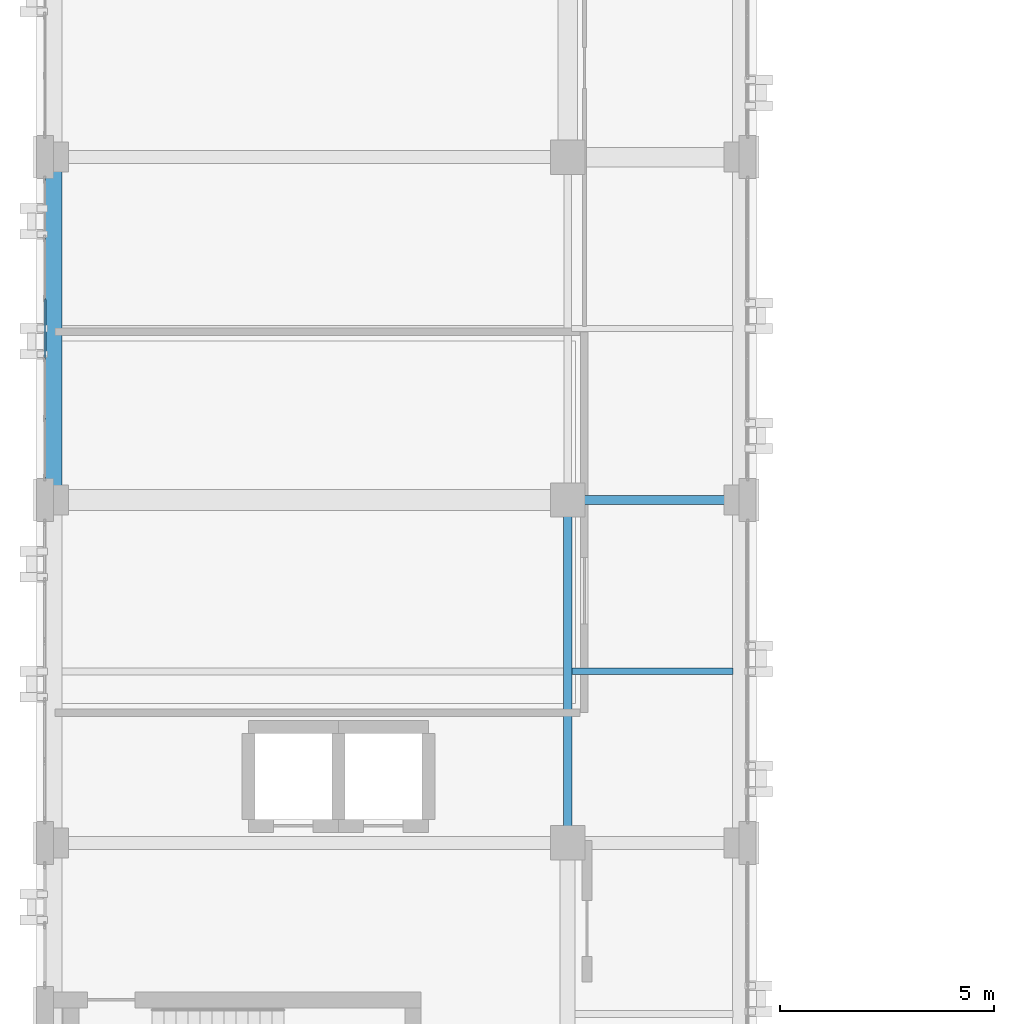
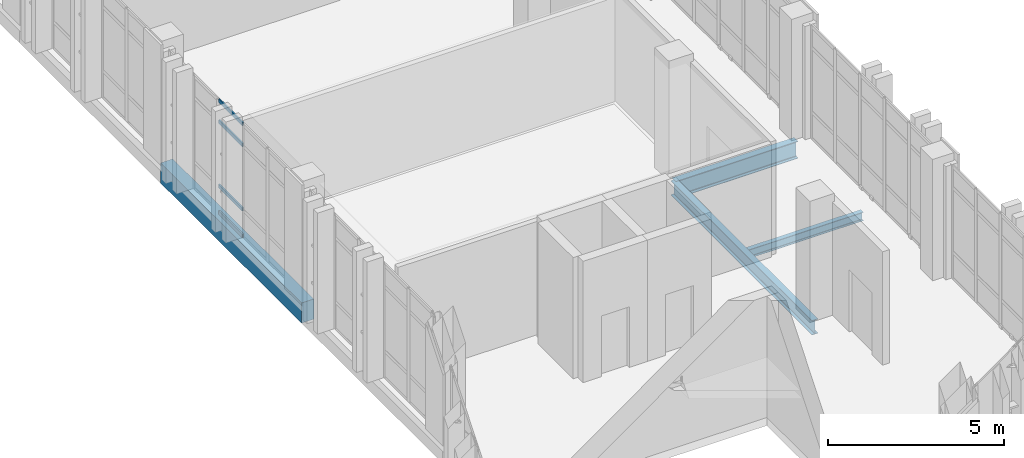
# One storey, part 36 of 158: 4 beams, 4 members, 1 element without a shape of its own.
"""IFC4 building model written with IfcOpenShell, lengths in metres."""

from ifc_helpers import new_model, si_unit, direction, frame, origin, origin_2d, place, context, subcontext, project, spatial, rectangle, hollow_rectangle, i_section, extrude, material, layer, layer_set, material_profile, profile_set, type_object, element, aggregate, save


model = new_model("IFC4")

# Units and contexts
model_context = context("Model", 3, precision=1e-05, world=origin(), true_north=direction((0.0, 1.0)))
body_context = subcontext(model_context, "Body", "Model", "MODEL_VIEW")
ifc_project = project(units=[si_unit("LENGTHUNIT", "METRE"), si_unit("AREAUNIT", "SQUARE_METRE"), si_unit("VOLUMEUNIT", "CUBIC_METRE"), si_unit("PLANEANGLEUNIT", "RADIAN"), si_unit("MASSUNIT", "GRAM", prefix="KILO")], contexts=[model_context])

# Site, building, storey
site_placement = place(None, origin())
site = spatial("IfcSite", under=ifc_project, at=site_placement, CompositionType="ELEMENT")
building_placement = place(site_placement, origin())
building = spatial("IfcBuilding", under=site, at=building_placement, Name="Qalavern Law Courts", CompositionType="ELEMENT")
storey_placement = place(building_placement, frame((0.0, 0.0, 18.60009765625)))
storey = spatial("IfcBuildingStorey", under=building, at=storey_placement, Name="L04", CompositionType="ELEMENT", Elevation=18.60009765625)

# Curtain wall, members
ifc_material_1 = material(Name="Anodised aluminium and insulated glazing", Category="aluminium")
ifc_layer = layer(ifc_material_1, 0.159912109375)
ifc_layer_set = layer_set([ifc_layer], Name="Anodised aluminium and insulated glazing")
curtain_wall_type = type_object("IfcCurtainWallType", Name="ENV-CW-CHAMB", PredefinedType="USERDEFINED", material=ifc_layer_set)
curtain_wall_placement = place(storey_placement, origin())
curtain_wall = element("IfcCurtainWall", 1, at=curtain_wall_placement, inside=storey, type_object=curtain_wall_type, Name="V3 unitised curtain wall L04 west 5", ObjectType="UNITISED CURTAIN WALL", PredefinedType="USERDEFINED")
ifc_material_2 = material(Name="Anodised aluminium", Category="aluminium")
ifc_material_profile_1 = material_profile(ifc_material_2, hollow_rectangle(XDim=0.048095703125, YDim=0.1201171875, WallThickness=0.00390625, at=origin_2d()), Name="ALU TRANSOM 48x120")
ifc_profile_set_1 = profile_set([ifc_material_profile_1], Name="Anodised aluminium")
member_type = type_object("IfcMemberType", Name="ENV-CWT-48x120", PredefinedType="USERDEFINED", material=ifc_profile_set_1)
member_1_placement = place(storey_placement, frame((2.199951171875, 62.075927734375, 0.02392578125), z_axis=(0.0, -1.0, 0.0), x_axis=(1.0, 0.0, 0.0)))
member_1 = element("IfcMember", 2, at=member_1_placement, type_object=member_type, Name="CW-04 transom 3.1", ObjectType="TRANSOM", PredefinedType="USERDEFINED", context=body_context, shape_type="SweptSolid", body=[
    extrude(hollow_rectangle(XDim=0.048095703125, YDim=0.1201171875, WallThickness=0.00390625, at=origin_2d()), origin(), (0.0, 0.0, 1.0), 1.351806640625),
])
member_2_placement = place(storey_placement, frame((2.199951171875, 62.075927734375, 0.949951171875), z_axis=(0.0, -1.0, 0.0), x_axis=(1.0, 0.0, 0.0)))
member_2 = element("IfcMember", 3, at=member_2_placement, type_object=member_type, Name="CW-04 transom 3.2", ObjectType="TRANSOM", PredefinedType="USERDEFINED", context=body_context, shape_type="SweptSolid", body=[
    extrude(hollow_rectangle(XDim=0.048095703125, YDim=0.1201171875, WallThickness=0.00390625, at=origin_2d()), origin(), (0.0, 0.0, 1.0), 1.351806640625),
])
member_3_placement = place(storey_placement, frame((2.199951171875, 62.075927734375, 3.1748046875), z_axis=(0.0, -1.0, 0.0), x_axis=(1.0, 0.0, 0.0)))
member_3 = element("IfcMember", 4, at=member_3_placement, type_object=member_type, Name="CW-04 transom 3.3", ObjectType="TRANSOM", PredefinedType="USERDEFINED", context=body_context, shape_type="SweptSolid", body=[
    extrude(hollow_rectangle(XDim=0.048095703125, YDim=0.1201171875, WallThickness=0.00390625, at=origin_2d()), origin(), (0.0, 0.0, 1.0), 1.351806640625),
])
member_4_placement = place(storey_placement, frame((2.199951171875, 62.075927734375, 3.90087890625), z_axis=(0.0, -1.0, 0.0), x_axis=(1.0, 0.0, 0.0)))
member_4 = element("IfcMember", 5, at=member_4_placement, type_object=member_type, Name="CW-04 transom 3.4", ObjectType="TRANSOM", PredefinedType="USERDEFINED", context=body_context, shape_type="SweptSolid", body=[
    extrude(hollow_rectangle(XDim=0.048095703125, YDim=0.1201171875, WallThickness=0.00390625, at=origin_2d()), origin(), (0.0, 0.0, 1.0), 1.351806640625),
])
aggregate(curtain_wall, [member_1, member_2, member_3, member_4])

# Beams
ifc_material_3 = material(Name="Steel S355", Category="steel")
ifc_material_profile_2 = material_profile(ifc_material_3, i_section(OverallWidth=0.199951171875, OverallDepth=0.5, WebThickness=0.01025390625, FlangeThickness=0.01611328125, FilletRadius=0.02099609375, at=origin_2d()), Name="IPE 500")
ifc_profile_set_2 = profile_set([ifc_material_profile_2], Name="Steel S355")
beam_type_1 = type_object("IfcBeamType", Name="STR-BM-IPE500", PredefinedType="BEAM", material=ifc_profile_set_2)
beam_1_placement = place(storey_placement, frame((14.39990234375, 49.39990234375, -0.530029296875), z_axis=(0.0, 1.0, 0.0), x_axis=(-1.0, 0.0, 0.0)))
element("IfcBeam", 6, at=beam_1_placement, inside=storey, type_object=beam_type_1, Name="V3 Y-beam 2-2 L04", PredefinedType="BEAM", context=body_context, shape_type="SweptSolid", body=[
    extrude(i_section(OverallWidth=0.199951171875, OverallDepth=0.5, WebThickness=0.01025390625, FlangeThickness=0.01611328125, FilletRadius=0.02099609375, at=origin_2d()), origin(), (0.0, 0.0, 1.0), 8.0),
])
ifc_material_profile_3 = material_profile(ifc_material_3, i_section(OverallWidth=0.219970703125, OverallDepth=0.60009765625, WebThickness=0.011962890625, FlangeThickness=0.01904296875, FilletRadius=0.02392578125, at=origin_2d()), Name="IPE 600")
ifc_profile_set_3 = profile_set([ifc_material_profile_3], Name="Steel S355")
beam_type_2 = type_object("IfcBeamType", Name="STR-BM-IPE600", PredefinedType="BEAM", material=ifc_profile_set_3)
beam_2_placement = place(storey_placement, frame((14.39990234375, 57.39990234375, -0.580078125), z_axis=(1.0, 0.0, 0.0), x_axis=(0.0, 1.0, 0.0)))
element("IfcBeam", 7, at=beam_2_placement, inside=storey, type_object=beam_type_2, Name="V3 X-beam 3-2 L04", PredefinedType="BEAM", context=body_context, shape_type="SweptSolid", body=[
    extrude(i_section(OverallWidth=0.219970703125, OverallDepth=0.60009765625, WebThickness=0.011962890625, FlangeThickness=0.01904296875, FilletRadius=0.02392578125, at=origin_2d()), origin(), (0.0, 0.0, 1.0), 4.0),
])
ifc_material_profile_4 = material_profile(ifc_material_3, i_section(OverallWidth=0.14990234375, OverallDepth=0.300048828125, WebThickness=0.007080078125, FlangeThickness=0.0107421875, FilletRadius=0.014892578125, at=origin_2d()), Name="IPE 300")
ifc_profile_set_4 = profile_set([ifc_material_profile_4], Name="Steel S355")
beam_type_3 = type_object("IfcBeamType", Name="STR-JST-IPE300", PredefinedType="JOIST", material=ifc_profile_set_4)
beam_3_placement = place(storey_placement, frame((14.498046875, 53.39990234375, -0.43017578125), z_axis=(1.0, 0.0, 0.0), x_axis=(0.0, 1.0, 0.0)))
element("IfcBeam", 8, at=beam_3_placement, inside=storey, type_object=beam_type_3, Name="V3 secondary joist 2.2.1 L04", PredefinedType="JOIST", context=body_context, shape_type="SweptSolid", body=[
    extrude(i_section(OverallWidth=0.14990234375, OverallDepth=0.300048828125, WebThickness=0.007080078125, FlangeThickness=0.0107421875, FilletRadius=0.014892578125, at=origin_2d()), origin(), (0.0, 0.0, 1.0), 3.75390625),
])
ifc_material_4 = material(Name="Concrete C40/50", Category="concrete")
ifc_material_profile_5 = material_profile(ifc_material_4, rectangle(XDim=0.39990234375, YDim=0.699951171875, at=origin_2d()), Name="RC 400x700")
ifc_profile_set_5 = profile_set([ifc_material_profile_5], Name="Concrete C40/50")
beam_type_4 = type_object("IfcBeamType", Name="STR-SP-RC400x700", PredefinedType="SPANDREL", material=ifc_profile_set_5)
beam_4_placement = place(storey_placement, frame((2.39990234375, 57.39990234375, -0.630126953125), z_axis=(0.0, 1.0, 0.0), x_axis=(-1.0, 0.0, 0.0)))
element("IfcBeam", 9, at=beam_4_placement, inside=storey, type_object=beam_type_4, Name="V3 Y-beam 1-3 L04", PredefinedType="SPANDREL", context=body_context, shape_type="SweptSolid", body=[
    extrude(rectangle(XDim=0.39990234375, YDim=0.699951171875, at=origin_2d()), origin(), (0.0, 0.0, 1.0), 8.0),
])

save(model, "model.ifc")
